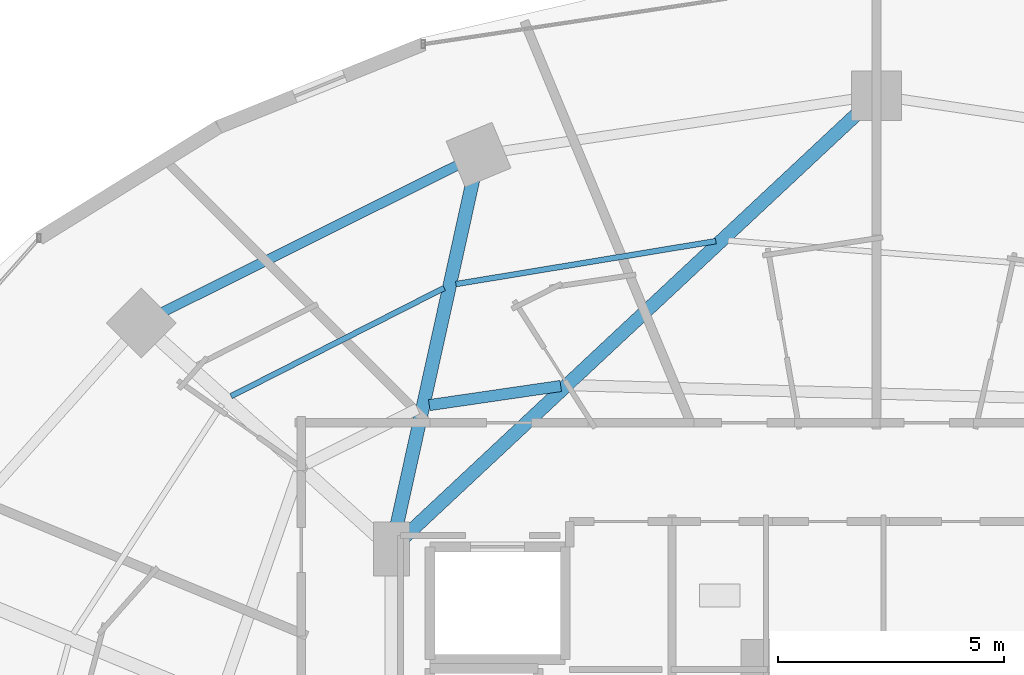
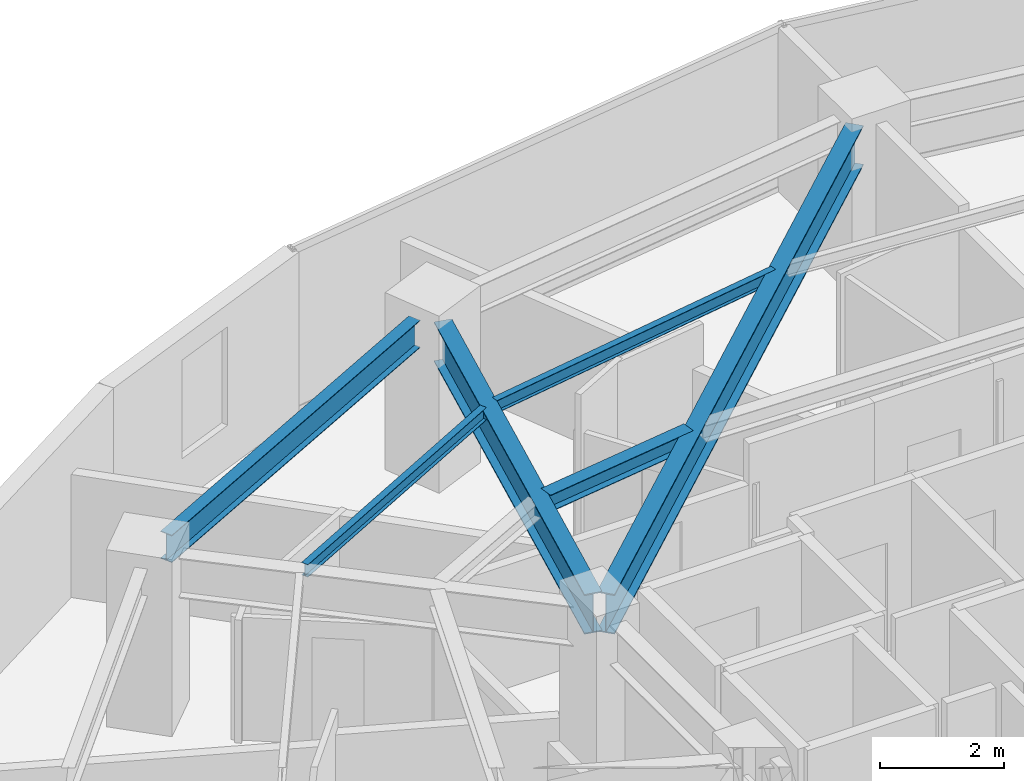
# One storey, part 18 of 31: 6 beams.
"""IFC4 building model written with IfcOpenShell, lengths in metres."""

from ifc_helpers import new_model, si_unit, direction, frame, origin, origin_2d, place, context, subcontext, project, spatial, i_section, extrude, material, material_profile, profile_set, type_object, element, save


model = new_model("IFC4")

# Units and contexts
model_context = context("Model", 3, precision=1e-05, world=origin(), true_north=direction((0.0, 1.0)))
body_context = subcontext(model_context, "Body", "Model", "MODEL_VIEW")
ifc_project = project(units=[si_unit("LENGTHUNIT", "METRE"), si_unit("AREAUNIT", "SQUARE_METRE"), si_unit("VOLUMEUNIT", "CUBIC_METRE"), si_unit("PLANEANGLEUNIT", "RADIAN"), si_unit("MASSUNIT", "GRAM", prefix="KILO")], contexts=[model_context])

# Site, building, storey
site_placement = place(None, origin())
site = spatial("IfcSite", under=ifc_project, at=site_placement, CompositionType="ELEMENT")
building_placement = place(site_placement, origin())
building = spatial("IfcBuilding", under=site, at=building_placement, Name="Vorneva Point Tower", CompositionType="ELEMENT")
storey_placement = place(building_placement, frame((0.0, 0.0, 99.800048828125)))
storey = spatial("IfcBuildingStorey", under=building, at=storey_placement, Name="L26", CompositionType="ELEMENT", Elevation=99.800048828125)

# Beams
ifc_material = material(Name="Steel S355", Category="steel")
ifc_material_profile_1 = material_profile(ifc_material, i_section(OverallWidth=0.300048828125, OverallDepth=0.7880859375, WebThickness=0.014404296875, FlangeThickness=0.02197265625, at=origin_2d()), Name="80Sh1")
ifc_profile_set_1 = profile_set([ifc_material_profile_1], Name="Steel S355")
beam_type_1 = type_object("IfcBeamType", Name="BM-GRD-80Sh1", PredefinedType="USERDEFINED", material=ifc_profile_set_1)
beam_1_placement = place(storey_placement, frame((37.60693359375, 42.83251953125, 2.845947265625), z_axis=(-0.730488863256, -0.682924608327, 0.0), x_axis=(0.682924608327, -0.730488863256, 0.0)))
element("IfcBeam", 1, at=beam_1_placement, inside=storey, type_object=beam_type_1, Name="L26 Radial Primary Girder 05", ObjectType="GIRDER", PredefinedType="USERDEFINED", context=body_context, shape_type="SweptSolid", body=[
    extrude(i_section(OverallWidth=0.300048828125, OverallDepth=0.7880859375, WebThickness=0.014404296875, FlangeThickness=0.02197265625, at=origin_2d()), origin(), (0.0, 0.0, 1.0), 13.838134765625),
])
beam_2_placement = place(storey_placement, frame((29.063232421875, 41.365234375, 2.845947265625), z_axis=(-0.215530944428, -0.976497010745, 0.0), x_axis=(0.976497010745, -0.215530944428, 0.0)))
element("IfcBeam", 2, at=beam_2_placement, inside=storey, type_object=beam_type_1, Name="L26 Radial Primary Girder 06", ObjectType="GIRDER", PredefinedType="USERDEFINED", context=body_context, shape_type="SweptSolid", body=[
    extrude(i_section(OverallWidth=0.300048828125, OverallDepth=0.7880859375, WebThickness=0.014404296875, FlangeThickness=0.02197265625, at=origin_2d()), origin(), (0.0, 0.0, 1.0), 8.072998046875),
])
ifc_material_profile_2 = material_profile(ifc_material, i_section(OverallWidth=0.1240234375, OverallDepth=0.248046875, WebThickness=0.0048828125, FlangeThickness=0.008056640625, at=origin_2d()), Name="25B1")
ifc_profile_set_2 = profile_set([ifc_material_profile_2], Name="Steel S355")
beam_type_2 = type_object("IfcBeamType", Name="BM-JST-25B1", PredefinedType="JOIST", material=ifc_profile_set_2)
beam_3_placement = place(storey_placement, frame((34.438232421875, 39.97509765625, 3.115966796875), z_axis=(-0.986607795404, -0.163110570006, 0.0), x_axis=(0.163110570006, -0.986607795404, 0.0)))
element("IfcBeam", 3, at=beam_3_placement, inside=storey, type_object=beam_type_2, Name="L26 Secondary Floor Beam 1.05", PredefinedType="JOIST", context=body_context, shape_type="SweptSolid", body=[
    extrude(i_section(OverallWidth=0.1240234375, OverallDepth=0.248046875, WebThickness=0.0048828125, FlangeThickness=0.008056640625, at=origin_2d()), origin(), (0.0, 0.0, 1.0), 5.8388671875),
])
beam_4_placement = place(storey_placement, frame((28.418212890625, 38.937744140625, 3.115966796875), z_axis=(-0.89155318404, -0.452916018737, 0.0), x_axis=(0.452916018737, -0.89155318404, 0.0)))
element("IfcBeam", 4, at=beam_4_placement, inside=storey, type_object=beam_type_2, Name="L26 Secondary Floor Beam 1.06", PredefinedType="JOIST", context=body_context, shape_type="SweptSolid", body=[
    extrude(i_section(OverallWidth=0.1240234375, OverallDepth=0.248046875, WebThickness=0.0048828125, FlangeThickness=0.008056640625, at=origin_2d()), origin(), (0.0, 0.0, 1.0), 5.30029296875),
])
ifc_material_profile_3 = material_profile(ifc_material, i_section(OverallWidth=0.2490234375, OverallDepth=0.333984375, WebThickness=0.008056640625, FlangeThickness=0.010986328125, at=origin_2d()), Name="35Sh1")
ifc_profile_set_3 = profile_set([ifc_material_profile_3], Name="Steel S355")
beam_type_3 = type_object("IfcBeamType", Name="BM-SEC-35Sh1", PredefinedType="BEAM", material=ifc_profile_set_3)
beam_5_placement = place(storey_placement, frame((31.0009765625, 36.764404296875, 3.072998046875), z_axis=(-0.989557870421, -0.144136119998, 0.0), x_axis=(0.144136119998, -0.989557870421, 0.0)))
element("IfcBeam", 5, at=beam_5_placement, inside=storey, type_object=beam_type_3, Name="L26 Secondary Floor Beam 2.05", PredefinedType="BEAM", context=body_context, shape_type="SweptSolid", body=[
    extrude(i_section(OverallWidth=0.2490234375, OverallDepth=0.333984375, WebThickness=0.008056640625, FlangeThickness=0.010986328125, at=origin_2d()), origin(), (0.0, 0.0, 1.0), 2.945556640625),
])
ifc_material_profile_4 = material_profile(ifc_material, i_section(OverallWidth=0.219970703125, OverallDepth=0.54296875, WebThickness=0.009521484375, FlangeThickness=0.013427734375, at=origin_2d()), Name="55B1")
ifc_profile_set_4 = profile_set([ifc_material_profile_4], Name="Steel S355")
beam_type_4 = type_object("IfcBeamType", Name="BM-SPN-55B1", PredefinedType="SPANDREL", material=ifc_profile_set_4)
beam_6_placement = place(storey_placement, frame((28.7001953125, 41.652099609375, 2.968505859375), z_axis=(-0.894915882304, -0.446234874926, 0.0), x_axis=(0.446234874926, -0.894915882304, 0.0)))
element("IfcBeam", 6, at=beam_6_placement, inside=storey, type_object=beam_type_4, Name="L26 Perimeter Spandrel Ring Beam 06", PredefinedType="SPANDREL", context=body_context, shape_type="SweptSolid", body=[
    extrude(i_section(OverallWidth=0.219970703125, OverallDepth=0.54296875, WebThickness=0.009521484375, FlangeThickness=0.013427734375, at=origin_2d()), origin(), (0.0, 0.0, 1.0), 7.285888671875),
])

save(model, "model.ifc")
